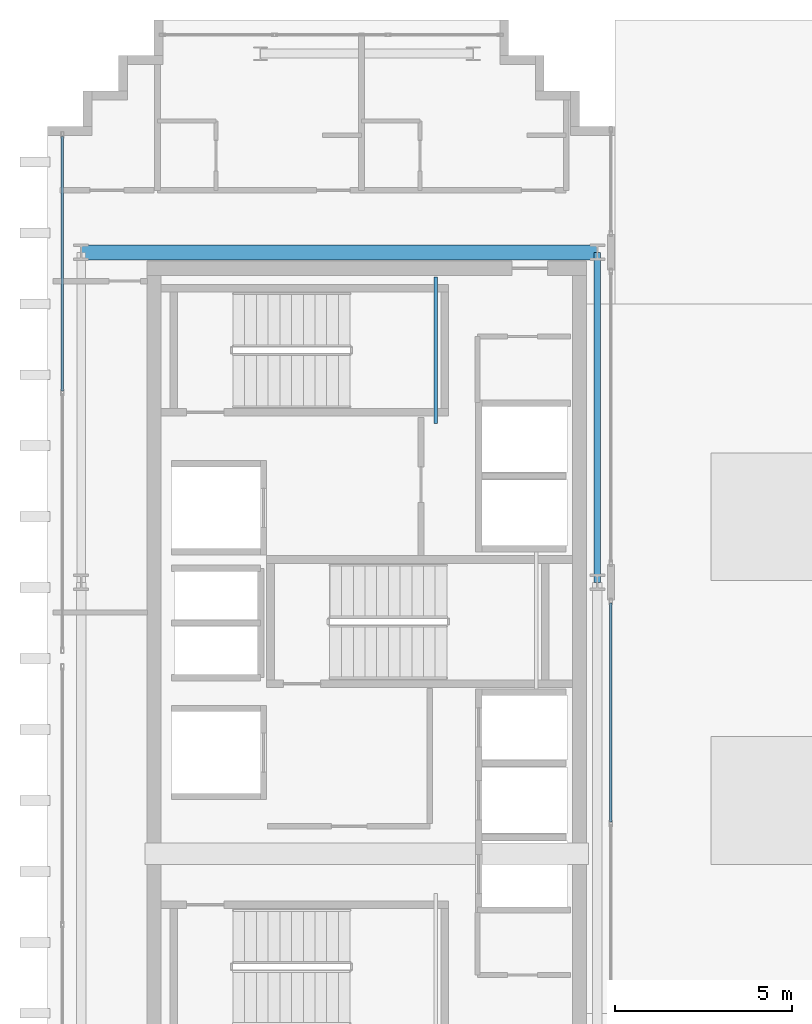
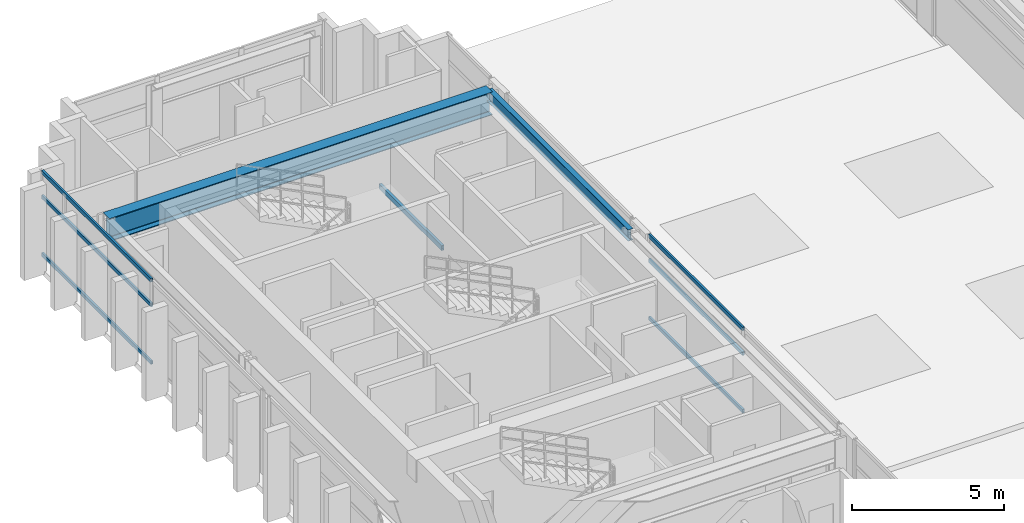
# One storey, part 6 of 25: 6 members, 3 beams, 2 elements without a shape of their own.
"""IFC4 building model written with IfcOpenShell, lengths in metres."""

from ifc_helpers import new_model, si_unit, direction, frame, origin, origin_2d, place, context, subcontext, project, spatial, hollow_rectangle, i_section, extrude, source, transform, mapped, material, layer, layer_set, material_profile, profile_set, type_object, element, aggregate, save


model = new_model("IFC4")

# Units and contexts
model_context = context("Model", 3, precision=1e-05, world=origin(), true_north=direction((0.0, 1.0)))
body_context = subcontext(model_context, "Body", "Model", "MODEL_VIEW")
ifc_project = project(units=[si_unit("LENGTHUNIT", "METRE"), si_unit("AREAUNIT", "SQUARE_METRE"), si_unit("VOLUMEUNIT", "CUBIC_METRE"), si_unit("PLANEANGLEUNIT", "RADIAN"), si_unit("MASSUNIT", "GRAM", prefix="KILO")], contexts=[model_context])

# Site, building, storey
site_placement = place(None, origin())
site = spatial("IfcSite", under=ifc_project, at=site_placement, CompositionType="ELEMENT")
building_placement = place(site_placement, origin())
building = spatial("IfcBuilding", under=site, at=building_placement, Name="Ocotamira Hotel", CompositionType="ELEMENT")
storey_placement = place(building_placement, frame((0.0, 0.0, 250.800048828125)))
storey = spatial("IfcBuildingStorey", under=building, at=storey_placement, Name="L63", CompositionType="ELEMENT", Elevation=250.800048828125)

# Beams
ifc_material_1 = material(Name="Steel ASTM A500 Grade C", Category="steel")
ifc_material_profile_1 = material_profile(ifc_material_1, hollow_rectangle(XDim=0.10009765625, YDim=0.199951171875, WallThickness=0.008056640625, at=origin_2d()), Name="HSS200X100X8")
ifc_profile_set_1 = profile_set([ifc_material_profile_1], Name="Steel ASTM A500 Grade C")
beam_type_1 = type_object("IfcBeamType", Name="BM-STLDG-HSS200", PredefinedType="BEAM", material=ifc_profile_set_1)
shared_shape_1 = source(origin(), body_context, "Body", "SweptSolid", [
    extrude(hollow_rectangle(XDim=0.10009765625, YDim=0.199951171875, WallThickness=0.008056640625, at=origin_2d()), origin(), (0.0, 0.0, 1.0), 4.1201171875),
])
beam_1_placement = place(storey_placement, frame((18.949951171875, 32.6298828125, 1.5), z_axis=(0.0, 1.0, 0.0), x_axis=(-1.0, 0.0, 0.0)))
element("IfcBeam", 1, at=beam_1_placement, inside=storey, type_object=beam_type_1, Name="L63 Stair ST-2 Landing Bearer 1", PredefinedType="BEAM", context=body_context, shape_type="MappedRepresentation", body=[
    mapped(shared_shape_1, transform((0.0, 0.0, 0.0), scale=1.0)),
])
ifc_material_2 = material(Name="Steel ASTM A992 Grade 50", Category="steel")
ifc_material_profile_2 = material_profile(ifc_material_2, i_section(OverallWidth=0.41796875, OverallDepth=0.927001953125, WebThickness=0.019287109375, FlangeThickness=0.031982421875, FilletRadius=0.02392578125, at=origin_2d()), Name="W36X231")
ifc_profile_set_2 = profile_set([ifc_material_profile_2], Name="Steel ASTM A992 Grade 50")
beam_type_2 = type_object("IfcBeamType", Name="BM-GIRD-W36X231", PredefinedType="BEAM", material=ifc_profile_set_2)
shared_shape_2 = source(origin(), body_context, "Body", "SweptSolid", [
    extrude(i_section(OverallWidth=0.41796875, OverallDepth=0.927001953125, WebThickness=0.019287109375, FlangeThickness=0.031982421875, FilletRadius=0.02392578125, at=origin_2d()), origin(), (0.0, 0.0, 1.0), 14.550048828125),
])
beam_2_placement = place(storey_placement, frame((8.949951171875, 37.449951171875, 2.91650390625), z_axis=(1.0, 0.0, 0.0), x_axis=(0.0, 1.0, 0.0)))
element("IfcBeam", 2, at=beam_2_placement, inside=storey, type_object=beam_type_2, Name="L63 Girder Y37.45 X8.95-23.5", PredefinedType="BEAM", context=body_context, shape_type="MappedRepresentation", body=[
    mapped(shared_shape_2, transform((0.0, 0.0, 0.0), scale=1.0)),
])
ifc_material_profile_3 = material_profile(ifc_material_2, i_section(OverallWidth=0.18994140625, OverallDepth=0.45703125, WebThickness=0.009033203125, FlangeThickness=0.014404296875, FilletRadius=0.010009765625, at=origin_2d()), Name="W18X50")
ifc_profile_set_3 = profile_set([ifc_material_profile_3], Name="Steel ASTM A992 Grade 50")
beam_type_3 = type_object("IfcBeamType", Name="BM-SEC-W18X50", PredefinedType="JOIST", material=ifc_profile_set_3)
shared_shape_3 = source(origin(), body_context, "Body", "SweptSolid", [
    extrude(i_section(OverallWidth=0.18994140625, OverallDepth=0.45703125, WebThickness=0.009033203125, FlangeThickness=0.014404296875, FilletRadius=0.010009765625, at=origin_2d()), origin(), (0.0, 0.0, 1.0), 9.300048828125),
])
beam_3_placement = place(storey_placement, frame((23.5, 28.14990234375, 3.1513671875), z_axis=(0.0, 1.0, 0.0), x_axis=(-1.0, 0.0, 0.0)))
element("IfcBeam", 3, at=beam_3_placement, inside=storey, type_object=beam_type_3, Name="L63 Beam X23.5 Y28.15-37.45", PredefinedType="JOIST", context=body_context, shape_type="MappedRepresentation", body=[
    mapped(shared_shape_3, transform((0.0, 0.0, 0.0), scale=1.0)),
])

# Curtain wall, members
ifc_material_3 = material(Name="Anodised pale-metal aluminium and solar glass", Category="aluminium")
ifc_layer = layer(ifc_material_3, 0.2099609375)
ifc_layer_set = layer_set([ifc_layer], Name="Anodised pale-metal aluminium and solar glass")
curtain_wall_type = type_object("IfcCurtainWallType", Name="CW-SYS7-PEAK", PredefinedType="NOTDEFINED", material=ifc_layer_set)
curtain_wall_1_placement = place(storey_placement, origin())
curtain_wall_1 = element("IfcCurtainWall", 4, at=curtain_wall_1_placement, inside=storey, type_object=curtain_wall_type, Name="L63 Curtain Wall CW-7 CW-L63-WO2", PredefinedType="NOTDEFINED")
ifc_material_4 = material(Name="Anodised pale-metal aluminium 6063-T6", Category="aluminium")
ifc_material_profile_4 = material_profile(ifc_material_4, hollow_rectangle(XDim=0.074951171875, YDim=0.14990234375, WallThickness=0.006103515625, at=origin_2d()), Name="HSS150X75X6")
ifc_profile_set_4 = profile_set([ifc_material_profile_4], Name="Anodised pale-metal aluminium 6063-T6")
member_type = type_object("IfcMemberType", Name="CWT-150X75", PredefinedType="USERDEFINED", material=ifc_profile_set_4)
shared_shape_4 = source(origin(), body_context, "Body", "SweptSolid", [
    extrude(hollow_rectangle(XDim=0.074951171875, YDim=0.14990234375, WallThickness=0.006103515625, at=origin_2d()), origin(), (0.0, 0.0, 1.0), 7.179931640625),
])
member_1_placement = place(storey_placement, frame((8.419921875, 33.5400390625, 0.037353515625), z_axis=(0.0, 1.0, 0.0), x_axis=(-1.0, 0.0, 0.0)))
member_1 = element("IfcMember", 5, at=member_1_placement, type_object=member_type, Name="CW-7 transom 2.1", ObjectType="TRANSOM", PredefinedType="USERDEFINED", context=body_context, shape_type="MappedRepresentation", body=[
    mapped(shared_shape_4, transform((0.0, 0.0, 0.0), scale=1.0)),
])
member_2_placement = place(storey_placement, frame((8.419921875, 33.5400390625, 2.349853515625), z_axis=(0.0, 1.0, 0.0), x_axis=(-1.0, 0.0, 0.0)))
member_2 = element("IfcMember", 6, at=member_2_placement, type_object=member_type, Name="CW-7 transom 2.2", ObjectType="TRANSOM", PredefinedType="USERDEFINED", context=body_context, shape_type="MappedRepresentation", body=[
    mapped(shared_shape_4, transform((0.0, 0.0, 0.0), scale=1.0)),
])
member_3_placement = place(storey_placement, frame((8.419921875, 33.5400390625, 3.342529296875), z_axis=(0.0, 1.0, 0.0), x_axis=(-1.0, 0.0, 0.0)))
member_3 = element("IfcMember", 7, at=member_3_placement, type_object=member_type, Name="CW-7 transom 2.3", ObjectType="TRANSOM", PredefinedType="USERDEFINED", context=body_context, shape_type="MappedRepresentation", body=[
    mapped(shared_shape_4, transform((0.0, 0.0, 0.0), scale=1.0)),
])
aggregate(curtain_wall_1, [member_1, member_2, member_3])

curtain_wall_2_placement = place(storey_placement, origin())
curtain_wall_2 = element("IfcCurtainWall", 8, at=curtain_wall_2_placement, inside=storey, type_object=curtain_wall_type, Name="L63 Curtain Wall CW-7 CW-L63-WI2", PredefinedType="NOTDEFINED")
shared_shape_5 = source(origin(), body_context, "Body", "SweptSolid", [
    extrude(hollow_rectangle(XDim=0.074951171875, YDim=0.14990234375, WallThickness=0.006103515625, at=origin_2d()), origin(), (0.0, 0.0, 1.0), 6.18017578125),
])
member_4_placement = place(storey_placement, frame((23.8798828125, 21.389892578125, 0.037353515625), z_axis=(0.0, 1.0, 0.0), x_axis=(-1.0, 0.0, 0.0)))
member_4 = element("IfcMember", 9, at=member_4_placement, type_object=member_type, Name="CW-7 transom 2.1", ObjectType="TRANSOM", PredefinedType="USERDEFINED", context=body_context, shape_type="MappedRepresentation", body=[
    mapped(shared_shape_5, transform((0.0, 0.0, 0.0), scale=1.0)),
])
member_5_placement = place(storey_placement, frame((23.8798828125, 21.389892578125, 2.349853515625), z_axis=(0.0, 1.0, 0.0), x_axis=(-1.0, 0.0, 0.0)))
member_5 = element("IfcMember", 10, at=member_5_placement, type_object=member_type, Name="CW-7 transom 2.2", ObjectType="TRANSOM", PredefinedType="USERDEFINED", context=body_context, shape_type="MappedRepresentation", body=[
    mapped(shared_shape_5, transform((0.0, 0.0, 0.0), scale=1.0)),
])
member_6_placement = place(storey_placement, frame((23.8798828125, 21.389892578125, 3.342529296875), z_axis=(0.0, 1.0, 0.0), x_axis=(-1.0, 0.0, 0.0)))
member_6 = element("IfcMember", 11, at=member_6_placement, type_object=member_type, Name="CW-7 transom 2.3", ObjectType="TRANSOM", PredefinedType="USERDEFINED", context=body_context, shape_type="MappedRepresentation", body=[
    mapped(shared_shape_5, transform((0.0, 0.0, 0.0), scale=1.0)),
])
aggregate(curtain_wall_2, [member_4, member_5, member_6])

save(model, "model.ifc")
